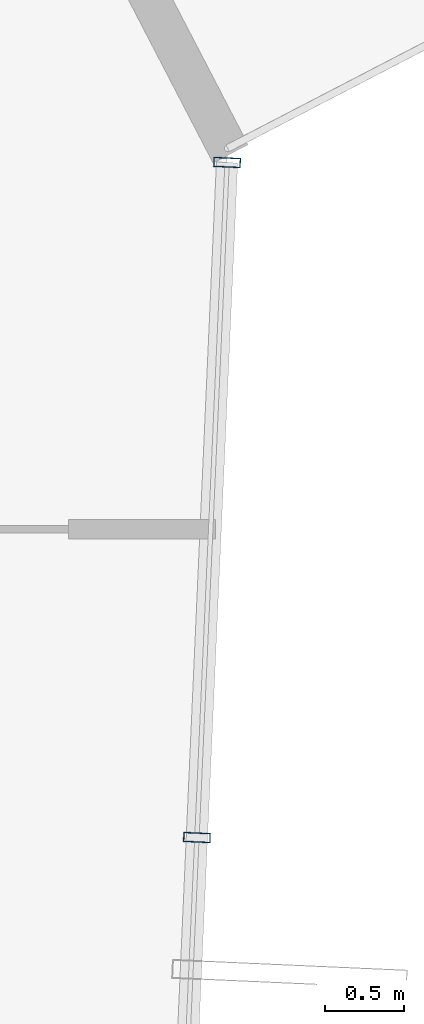
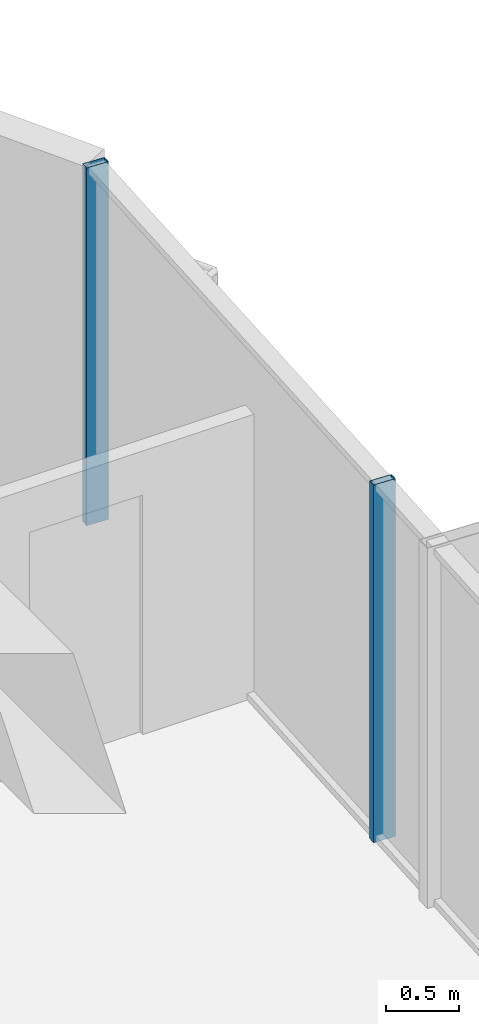
# One storey, part 15 of 30: 2 members, 1 element without a shape of its own.
"""IFC4 building model written with IfcOpenShell, lengths in metres."""

from ifc_helpers import new_model, si_unit, direction, frame, origin, origin_2d, place, context, subcontext, project, spatial, hollow_rectangle, extrude, source, transform, mapped, material, layer, layer_set, material_profile, profile_set, type_object, element, aggregate, save


model = new_model("IFC4")

# Units and contexts
model_context = context("Model", 3, precision=1e-05, world=origin(), true_north=direction((0.0, 1.0)))
body_context = subcontext(model_context, "Body", "Model", "MODEL_VIEW")
ifc_project = project(units=[si_unit("LENGTHUNIT", "METRE"), si_unit("AREAUNIT", "SQUARE_METRE"), si_unit("VOLUMEUNIT", "CUBIC_METRE"), si_unit("PLANEANGLEUNIT", "RADIAN"), si_unit("MASSUNIT", "GRAM", prefix="KILO")], contexts=[model_context])

# Site, building, storey
site_placement = place(None, origin())
site = spatial("IfcSite", under=ifc_project, at=site_placement, CompositionType="ELEMENT")
building_placement = place(site_placement, origin())
building = spatial("IfcBuilding", under=site, at=building_placement, Name="Veraguas Prism Commons", CompositionType="ELEMENT")
storey_placement = place(building_placement, frame((0.0, 0.0, 119.75)))
storey = spatial("IfcBuildingStorey", under=building, at=storey_placement, Name="L33", CompositionType="ELEMENT", Elevation=119.75)

# Curtain wall, members
ifc_material = material(Name="Anodised aluminium EN AW-6063 T6", Category="aluminium")
ifc_layer = layer(ifc_material, 0.169921875, Name="Unitised Flush Curtain Wall Zone 2", Category="aluminium")
ifc_layer_set = layer_set([ifc_layer], Name="Anodised aluminium EN AW-6063 T6")
curtain_wall_type = type_object("IfcCurtainWallType", Name="Unitised Flush Curtain Wall Zone 2", PredefinedType="NOTDEFINED", material=ifc_layer_set)
curtain_wall_placement = place(storey_placement, origin())
curtain_wall = element("IfcCurtainWall", 1, at=curtain_wall_placement, inside=storey, type_object=curtain_wall_type, Name="Tower Facade Curtain Wall L33-F6", PredefinedType="NOTDEFINED")
ifc_material_profile = material_profile(ifc_material, hollow_rectangle(XDim=0.06005859375, YDim=0.169921875, WallThickness=0.00390625, at=origin_2d()), Name="AL60X170X4")
ifc_profile_set = profile_set([ifc_material_profile], Name="Anodised aluminium EN AW-6063 T6")
member_type = type_object("IfcMemberType", Name="Curtain Wall Mullion Lower AL 60x170x4", PredefinedType="MULLION", material=ifc_profile_set)
shared_shape = source(origin(), body_context, "Body", "SweptSolid", [
    extrude(hollow_rectangle(XDim=0.06005859375, YDim=0.169921875, WallThickness=0.00390625, at=origin_2d()), origin(), (0.0, 0.0, 1.0), 3.0),
])
member_1_placement = place(storey_placement, frame((43.355712890625, 27.447509765625, 0.0), z_axis=(0.0, 0.0, 1.0), x_axis=(0.044667307696, 0.999001917728, 0.0)))
member_1 = element("IfcMember", 2, at=member_1_placement, type_object=member_type, Name="CW-Z2 Mullion 4", PredefinedType="MULLION", context=body_context, shape_type="MappedRepresentation", body=[
    mapped(shared_shape, transform((0.0, 0.0, 0.0), scale=1.0)),
])
member_2_placement = place(storey_placement, frame((43.546875, 31.721923828125, 0.0), z_axis=(0.0, 0.0, 1.0), x_axis=(0.044667307696, 0.999001917728, 0.0)))
member_2 = element("IfcMember", 3, at=member_2_placement, type_object=member_type, Name="CW-Z2 Mullion 5", PredefinedType="MULLION", context=body_context, shape_type="MappedRepresentation", body=[
    mapped(shared_shape, transform((0.0, 0.0, 0.0), scale=1.0)),
])
aggregate(curtain_wall, [member_1, member_2])

save(model, "model.ifc")
